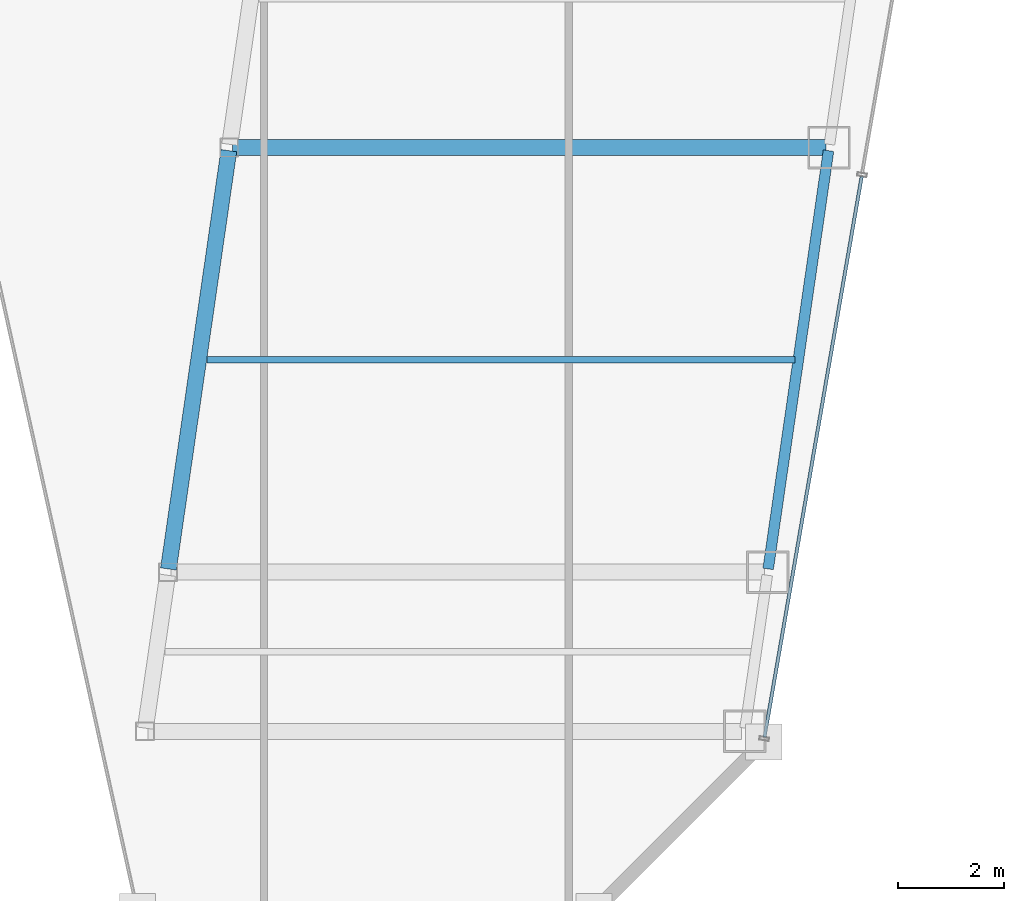
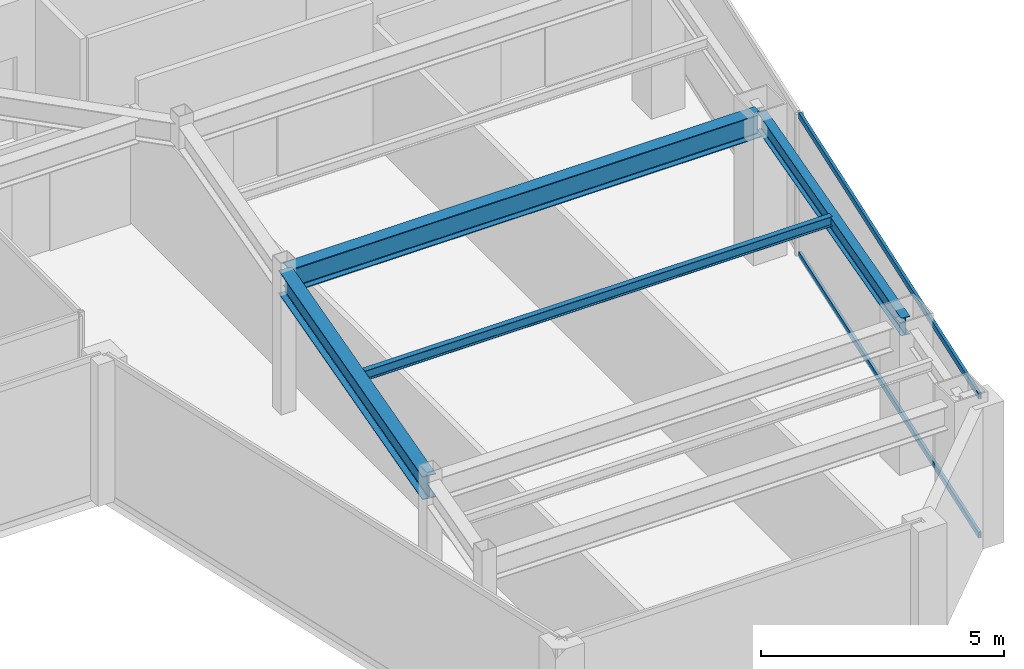
# One storey, part 15 of 32: 4 beams, 2 members, 1 element without a shape of its own.
"""IFC4 building model written with IfcOpenShell, lengths in metres."""

from ifc_helpers import new_model, si_unit, direction, frame, origin, origin_2d, place, context, subcontext, project, spatial, hollow_rectangle, i_section, extrude, material, material_profile, profile_set, type_object, element, aggregate, save


model = new_model("IFC4")

# Units and contexts
model_context = context("Model", 3, precision=1e-05, world=origin(), true_north=direction((0.0, 1.0)))
body_context = subcontext(model_context, "Body", "Model", "MODEL_VIEW")
ifc_project = project(units=[si_unit("LENGTHUNIT", "METRE"), si_unit("AREAUNIT", "SQUARE_METRE"), si_unit("VOLUMEUNIT", "CUBIC_METRE"), si_unit("PLANEANGLEUNIT", "RADIAN"), si_unit("MASSUNIT", "GRAM", prefix="KILO")], contexts=[model_context])

# Site, building, storey
site_placement = place(None, origin())
site = spatial("IfcSite", under=ifc_project, at=site_placement, CompositionType="ELEMENT")
building_placement = place(site_placement, origin())
building = spatial("IfcBuilding", under=site, at=building_placement, Name="Saevonmaru Cultural Tower", CompositionType="ELEMENT")
storey_placement = place(building_placement, frame((0.0, 0.0, 245.800048828125)))
storey = spatial("IfcBuildingStorey", under=building, at=storey_placement, Name="L57", CompositionType="ELEMENT", Elevation=245.800048828125)

# Beams
ifc_material_1 = material(Name="Steel SM355", Category="steel")
ifc_material_profile_1 = material_profile(ifc_material_1, i_section(OverallWidth=0.300048828125, OverallDepth=0.587890625, WebThickness=0.011962890625, FlangeThickness=0.02001953125, FilletRadius=0.02392578125, at=origin_2d()), Name="H-588x300x12x20")
ifc_profile_set_1 = profile_set([ifc_material_profile_1], Name="Steel SM355")
beam_type_1 = type_object("IfcBeamType", Name="BM-G-H588", PredefinedType="BEAM", material=ifc_profile_set_1)
beam_1_placement = place(storey_placement, frame((39.236572265625, 24.059326171875, 3.255859375), z_axis=(0.142902032203, 0.989736838353, 0.0), x_axis=(-0.989736838353, 0.142902032203, 0.0)))
element("IfcBeam", 1, at=beam_1_placement, inside=storey, type_object=beam_type_1, Name="L57 East Atrium Girder 2", PredefinedType="BEAM", context=body_context, shape_type="SweptSolid", body=[
    extrude(i_section(OverallWidth=0.300048828125, OverallDepth=0.587890625, WebThickness=0.011962890625, FlangeThickness=0.02001953125, FilletRadius=0.02392578125, at=origin_2d()), origin(), (0.0, 0.0, 1.0), 7.963134765625),
])
beam_2_placement = place(storey_placement, frame((40.443115234375, 32.0, 3.255859375), z_axis=(1.0, 0.0, 0.0), x_axis=(0.0, 1.0, 0.0)))
element("IfcBeam", 2, at=beam_2_placement, inside=storey, type_object=beam_type_1, Name="L57 East Wing Transverse Girder 3", PredefinedType="BEAM", context=body_context, shape_type="SweptSolid", body=[
    extrude(i_section(OverallWidth=0.300048828125, OverallDepth=0.587890625, WebThickness=0.011962890625, FlangeThickness=0.02001953125, FilletRadius=0.02392578125, at=origin_2d()), origin(), (0.0, 0.0, 1.0), 11.179931640625),
])
ifc_material_profile_2 = material_profile(ifc_material_1, i_section(OverallWidth=0.125, OverallDepth=0.25, WebThickness=0.006103515625, FlangeThickness=0.009033203125, FilletRadius=0.008056640625, at=origin_2d()), Name="H-250x125x6x9")
ifc_profile_set_2 = profile_set([ifc_material_profile_2], Name="Steel SM355")
beam_type_2 = type_object("IfcBeamType", Name="BM-J-H250", PredefinedType="JOIST", material=ifc_profile_set_2)
beam_3_placement = place(storey_placement, frame((39.96337890625, 28.0, 3.425048828125), z_axis=(1.0, 0.0, 0.0), x_axis=(0.0, 1.0, 0.0)))
element("IfcBeam", 3, at=beam_3_placement, inside=storey, type_object=beam_type_2, Name="L57 East Wing Floor Joist 2", PredefinedType="JOIST", context=body_context, shape_type="SweptSolid", body=[
    extrude(i_section(OverallWidth=0.125, OverallDepth=0.25, WebThickness=0.006103515625, FlangeThickness=0.009033203125, FilletRadius=0.008056640625, at=origin_2d()), origin(), (0.0, 0.0, 1.0), 11.08203125),
])
ifc_material_profile_3 = material_profile(ifc_material_1, i_section(OverallWidth=0.199951171875, OverallDepth=0.449951171875, WebThickness=0.009033203125, FlangeThickness=0.013916015625, FilletRadius=0.01806640625, at=origin_2d()), Name="H-450x200x9x14")
ifc_profile_set_3 = profile_set([ifc_material_profile_3], Name="Steel SM355")
beam_type_3 = type_object("IfcBeamType", Name="BM-SP-H450", PredefinedType="SPANDREL", material=ifc_profile_set_3)
beam_4_placement = place(storey_placement, frame((50.53662109375, 24.059326171875, 3.324951171875), z_axis=(0.142871999001, 0.989741174197, 0.0), x_axis=(-0.989741174197, 0.142871999001, 0.0)))
element("IfcBeam", 4, at=beam_4_placement, inside=storey, type_object=beam_type_3, Name="L57 East Splayed Spandrel 2", PredefinedType="SPANDREL", context=body_context, shape_type="SweptSolid", body=[
    extrude(i_section(OverallWidth=0.199951171875, OverallDepth=0.449951171875, WebThickness=0.009033203125, FlangeThickness=0.013916015625, FilletRadius=0.01806640625, at=origin_2d()), origin(), (0.0, 0.0, 1.0), 7.963134765625),
])

# Curtain wall, members
ifc_material_2 = material(Name="Satin Bronze Anodised Aluminium", Category="aluminium")
curtain_wall_type = type_object("IfcCurtainWallType", Name="CW-TYP-B", PredefinedType="NOTDEFINED", material=ifc_material_2)
curtain_wall_placement = place(storey_placement, origin())
curtain_wall = element("IfcCurtainWall", 5, at=curtain_wall_placement, inside=storey, type_object=curtain_wall_type, Name="L57 Unitised Curtain Wall E8", PredefinedType="NOTDEFINED")
ifc_material_profile_4 = material_profile(ifc_material_2, hollow_rectangle(XDim=0.06494140625, YDim=0.14990234375, WallThickness=0.00390625, at=origin_2d()), Name="ALU-TRAN-150x65x4")
ifc_profile_set_4 = profile_set([ifc_material_profile_4], Name="Satin Bronze Anodised Aluminium")
member_type = type_object("IfcMemberType", Name="TR-CW-150x65", PredefinedType="USERDEFINED", material=ifc_profile_set_4)
member_1_placement = place(storey_placement, frame((50.468994140625, 20.89111328125, 0.032470703125), z_axis=(0.170795272137, 0.985306538604, 0.0), x_axis=(-0.985306538604, 0.170795272137, 0.0)))
member_1 = element("IfcMember", 6, at=member_1_placement, type_object=member_type, Name="CW-TW-L57-E8 transom 1.1", ObjectType="TRANSOM", PredefinedType="USERDEFINED", context=body_context, shape_type="SweptSolid", body=[
    extrude(hollow_rectangle(XDim=0.06494140625, YDim=0.14990234375, WallThickness=0.00390625, at=origin_2d()), origin(), (0.0, 0.0, 1.0), 10.720703125),
])
member_2_placement = place(storey_placement, frame((50.468994140625, 20.89111328125, 3.517333984375), z_axis=(0.170795272137, 0.985306538604, 0.0), x_axis=(-0.985306538604, 0.170795272137, 0.0)))
member_2 = element("IfcMember", 7, at=member_2_placement, type_object=member_type, Name="CW-TW-L57-E8 transom 1.2", ObjectType="TRANSOM", PredefinedType="USERDEFINED", context=body_context, shape_type="SweptSolid", body=[
    extrude(hollow_rectangle(XDim=0.06494140625, YDim=0.14990234375, WallThickness=0.00390625, at=origin_2d()), origin(), (0.0, 0.0, 1.0), 10.720703125),
])
aggregate(curtain_wall, [member_1, member_2])

save(model, "model.ifc")
